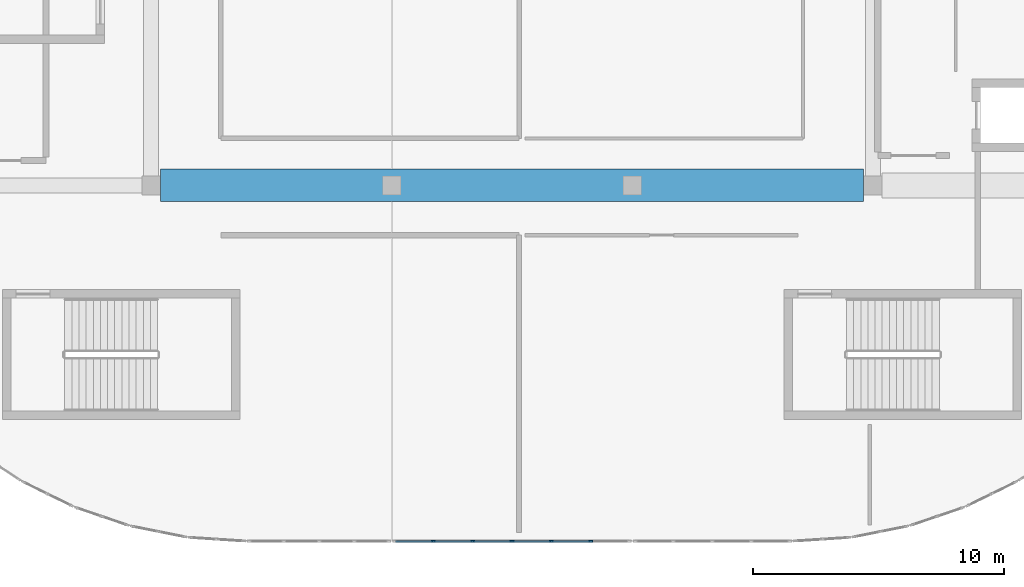
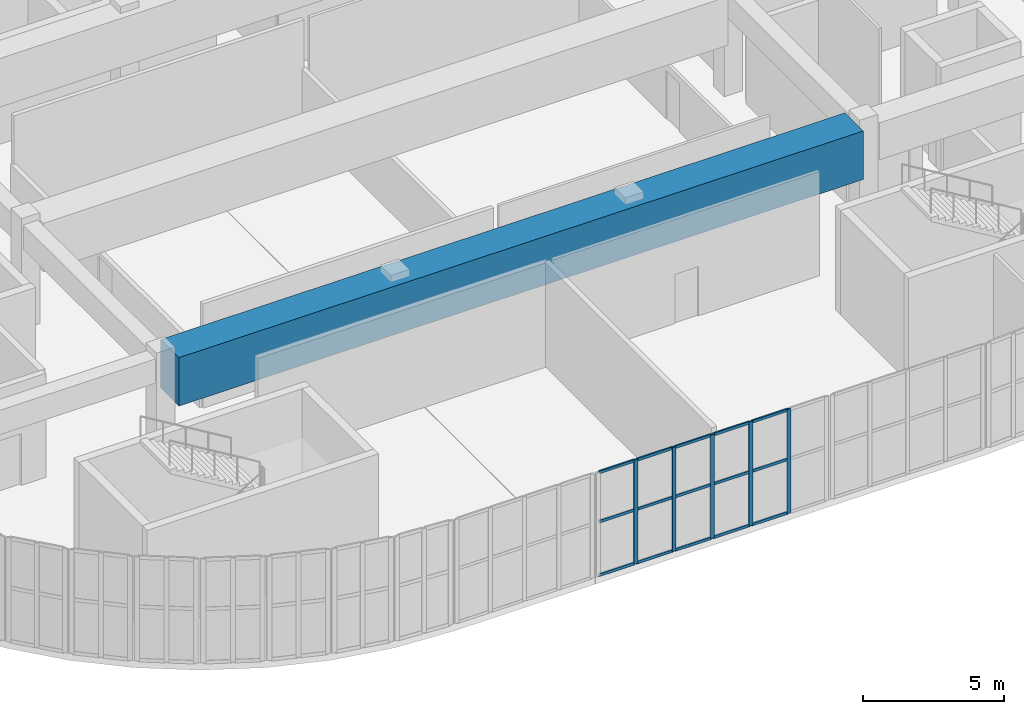
# One storey, part 4 of 28: 20 members, 1 beam, 1 element without a shape of its own.
"""IFC4 building model written with IfcOpenShell, lengths in metres."""

from ifc_helpers import new_model, si_unit, direction, frame, origin, origin_2d, place, context, subcontext, project, spatial, rectangle, extrude, material, layer, layer_set, material_profile, profile_set, type_object, element, aggregate, save


model = new_model("IFC4")

# Units and contexts
model_context = context("Model", 3, precision=1e-05, world=origin(), true_north=direction((0.0, 1.0)))
body_context = subcontext(model_context, "Body", "Model", "MODEL_VIEW")
ifc_project = project(units=[si_unit("LENGTHUNIT", "METRE"), si_unit("AREAUNIT", "SQUARE_METRE"), si_unit("VOLUMEUNIT", "CUBIC_METRE"), si_unit("PLANEANGLEUNIT", "RADIAN"), si_unit("MASSUNIT", "GRAM", prefix="KILO")], contexts=[model_context])

# Site, building, storey
site_placement = place(None, origin())
site = spatial("IfcSite", under=ifc_project, at=site_placement, CompositionType="ELEMENT")
building_placement = place(site_placement, origin())
building = spatial("IfcBuilding", under=site, at=building_placement, Name="Cendralis Terraced Arcade", CompositionType="ELEMENT")
storey_placement = place(building_placement, frame((0.0, 0.0, 24.60009765625)))
storey = spatial("IfcBuildingStorey", under=building, at=storey_placement, Name="L05", CompositionType="ELEMENT", Elevation=24.60009765625)

# Beam
ifc_material_1 = material(Name="Concrete f'c 42 MPa", Category="concrete")
ifc_material_profile_1 = material_profile(ifc_material_1, rectangle(XDim=1.300048828125, YDim=2.10009765625, at=origin_2d()), Name="RC-TG-1300x2100", Category="LoadBearing")
ifc_profile_set_1 = profile_set([ifc_material_profile_1], Name="Concrete f'c 42 MPa")
beam_type = type_object("IfcBeamType", Name="BM-TG-1300x2100", PredefinedType="USERDEFINED", material=ifc_profile_set_1)
beam_placement = place(storey_placement, frame((19.574951171875, 19.199951171875, 3.4599609375), z_axis=(1.0, 0.0, 0.0), x_axis=(0.0, 1.0, 0.0)))
element("IfcBeam", 1, at=beam_placement, inside=storey, type_object=beam_type, Name="Atrium Bridge Transfer Girder TG-ATR-L06-C", ObjectType="TRANSFER GIRDER", PredefinedType="USERDEFINED", context=body_context, shape_type="SweptSolid", body=[
    extrude(rectangle(XDim=1.300048828125, YDim=2.10009765625, at=origin_2d()), origin(), (0.0, 0.0, 1.0), 28.050048828125),
])

# Curtain wall, members
ifc_material_2 = material(Name="Anodised aluminium EN AW-6063 T6", Category="aluminium")
ifc_layer = layer(ifc_material_2, 0.159912109375, Name="CW-UNIT-B")
ifc_layer_set = layer_set([ifc_layer], Name="Anodised aluminium EN AW-6063 T6")
curtain_wall_type = type_object("IfcCurtainWallType", Name="CW-UNIT-B", PredefinedType="USERDEFINED", material=ifc_layer_set)
curtain_wall_placement = place(storey_placement, origin())
curtain_wall = element("IfcCurtainWall", 2, at=curtain_wall_placement, inside=storey, type_object=curtain_wall_type, Name="Exterior Unitised Facade CW-L05-0415", ObjectType="UNITISED FACADE", PredefinedType="USERDEFINED")
ifc_material_profile_2 = material_profile(ifc_material_2, rectangle(XDim=0.06494140625, YDim=0.159912109375, at=origin_2d()), Name="ALU-MUL-65x160")
ifc_profile_set_2 = profile_set([ifc_material_profile_2], Name="Anodised aluminium EN AW-6063 T6")
member_type_1 = type_object("IfcMemberType", Name="CW-UNIT-B-MUL", PredefinedType="MULLION", material=ifc_profile_set_2)
member_1_placement = place(storey_placement, frame((36.739990234375, 5.0, 0.0), z_axis=(0.0, 0.0, 1.0), x_axis=(0.0, -1.0, 0.0)))
member_1 = element("IfcMember", 3, at=member_1_placement, type_object=member_type_1, Name="CW-U2 mullion 2", PredefinedType="MULLION", context=body_context, shape_type="SweptSolid", body=[
    extrude(rectangle(XDim=0.06494140625, YDim=0.159912109375, at=origin_2d()), origin(), (0.0, 0.0, 1.0), 4.510009765625),
])
member_2_placement = place(storey_placement, frame((35.169921875, 5.0, 0.0), z_axis=(0.0, 0.0, 1.0), x_axis=(0.0, -1.0, 0.0)))
member_2 = element("IfcMember", 4, at=member_2_placement, type_object=member_type_1, Name="CW-U2 mullion 3", PredefinedType="MULLION", context=body_context, shape_type="SweptSolid", body=[
    extrude(rectangle(XDim=0.06494140625, YDim=0.159912109375, at=origin_2d()), origin(), (0.0, 0.0, 1.0), 4.510009765625),
])
member_3_placement = place(storey_placement, frame((33.60009765625, 5.0, 0.0), z_axis=(0.0, 0.0, 1.0), x_axis=(0.0, -1.0, 0.0)))
member_3 = element("IfcMember", 5, at=member_3_placement, type_object=member_type_1, Name="CW-U2 mullion 4", PredefinedType="MULLION", context=body_context, shape_type="SweptSolid", body=[
    extrude(rectangle(XDim=0.06494140625, YDim=0.159912109375, at=origin_2d()), origin(), (0.0, 0.0, 1.0), 4.510009765625),
])
member_4_placement = place(storey_placement, frame((32.030029296875, 5.0, 0.0), z_axis=(0.0, 0.0, 1.0), x_axis=(0.0, -1.0, 0.0)))
member_4 = element("IfcMember", 6, at=member_4_placement, type_object=member_type_1, Name="CW-U2 mullion 5", PredefinedType="MULLION", context=body_context, shape_type="SweptSolid", body=[
    extrude(rectangle(XDim=0.06494140625, YDim=0.159912109375, at=origin_2d()), origin(), (0.0, 0.0, 1.0), 4.510009765625),
])
member_5_placement = place(storey_placement, frame((30.4599609375, 5.0, 0.0), z_axis=(0.0, 0.0, 1.0), x_axis=(0.0, -1.0, 0.0)))
member_5 = element("IfcMember", 7, at=member_5_placement, type_object=member_type_1, Name="CW-U2 mullion 6", PredefinedType="MULLION", context=body_context, shape_type="SweptSolid", body=[
    extrude(rectangle(XDim=0.06494140625, YDim=0.159912109375, at=origin_2d()), origin(), (0.0, 0.0, 1.0), 4.510009765625),
])
ifc_material_profile_3 = material_profile(ifc_material_2, rectangle(XDim=0.06005859375, YDim=0.1201171875, at=origin_2d()), Name="ALU-TRN-60x120")
ifc_profile_set_3 = profile_set([ifc_material_profile_3], Name="Anodised aluminium EN AW-6063 T6")
member_type_2 = type_object("IfcMemberType", Name="CW-UNIT-B-TRN", PredefinedType="USERDEFINED", material=ifc_profile_set_3)
member_6_placement = place(storey_placement, frame((36.70751953125, 5.0, 0.02978515625), z_axis=(-1.0, 0.0, 0.0), x_axis=(0.0, -1.0, 0.0)))
member_6 = element("IfcMember", 8, at=member_6_placement, type_object=member_type_2, Name="CW-U2 transom 2.1", ObjectType="TRANSOM", PredefinedType="USERDEFINED", context=body_context, shape_type="SweptSolid", body=[
    extrude(rectangle(XDim=0.06005859375, YDim=0.1201171875, at=origin_2d()), origin(), (0.0, 0.0, 1.0), 1.505126953125),
])
member_7_placement = place(storey_placement, frame((36.70751953125, 5.0, 2.34521484375), z_axis=(-1.0, 0.0, 0.0), x_axis=(0.0, -1.0, 0.0)))
member_7 = element("IfcMember", 9, at=member_7_placement, type_object=member_type_2, Name="CW-U2 transom 2.2", ObjectType="TRANSOM", PredefinedType="USERDEFINED", context=body_context, shape_type="SweptSolid", body=[
    extrude(rectangle(XDim=0.06005859375, YDim=0.1201171875, at=origin_2d()), origin(), (0.0, 0.0, 1.0), 1.505126953125),
])
member_8_placement = place(storey_placement, frame((36.70751953125, 5.0, 4.47998046875), z_axis=(-1.0, 0.0, 0.0), x_axis=(0.0, -1.0, 0.0)))
member_8 = element("IfcMember", 10, at=member_8_placement, type_object=member_type_2, Name="CW-U2 transom 2.3", ObjectType="TRANSOM", PredefinedType="USERDEFINED", context=body_context, shape_type="SweptSolid", body=[
    extrude(rectangle(XDim=0.06005859375, YDim=0.1201171875, at=origin_2d()), origin(), (0.0, 0.0, 1.0), 1.505126953125),
])
member_9_placement = place(storey_placement, frame((35.137451171875, 5.0, 0.02978515625), z_axis=(-1.0, 0.0, 0.0), x_axis=(0.0, -1.0, 0.0)))
member_9 = element("IfcMember", 11, at=member_9_placement, type_object=member_type_2, Name="CW-U2 transom 3.1", ObjectType="TRANSOM", PredefinedType="USERDEFINED", context=body_context, shape_type="SweptSolid", body=[
    extrude(rectangle(XDim=0.06005859375, YDim=0.1201171875, at=origin_2d()), origin(), (0.0, 0.0, 1.0), 1.5048828125),
])
member_10_placement = place(storey_placement, frame((35.137451171875, 5.0, 2.34521484375), z_axis=(-1.0, 0.0, 0.0), x_axis=(0.0, -1.0, 0.0)))
member_10 = element("IfcMember", 12, at=member_10_placement, type_object=member_type_2, Name="CW-U2 transom 3.2", ObjectType="TRANSOM", PredefinedType="USERDEFINED", context=body_context, shape_type="SweptSolid", body=[
    extrude(rectangle(XDim=0.06005859375, YDim=0.1201171875, at=origin_2d()), origin(), (0.0, 0.0, 1.0), 1.5048828125),
])
member_11_placement = place(storey_placement, frame((35.137451171875, 5.0, 4.47998046875), z_axis=(-1.0, 0.0, 0.0), x_axis=(0.0, -1.0, 0.0)))
member_11 = element("IfcMember", 13, at=member_11_placement, type_object=member_type_2, Name="CW-U2 transom 3.3", ObjectType="TRANSOM", PredefinedType="USERDEFINED", context=body_context, shape_type="SweptSolid", body=[
    extrude(rectangle(XDim=0.06005859375, YDim=0.1201171875, at=origin_2d()), origin(), (0.0, 0.0, 1.0), 1.5048828125),
])
member_12_placement = place(storey_placement, frame((33.5673828125, 5.0, 0.02978515625), z_axis=(-1.0, 0.0, 0.0), x_axis=(0.0, -1.0, 0.0)))
member_12 = element("IfcMember", 14, at=member_12_placement, type_object=member_type_2, Name="CW-U2 transom 4.1", ObjectType="TRANSOM", PredefinedType="USERDEFINED", context=body_context, shape_type="SweptSolid", body=[
    extrude(rectangle(XDim=0.06005859375, YDim=0.1201171875, at=origin_2d()), origin(), (0.0, 0.0, 1.0), 1.5048828125),
])
member_13_placement = place(storey_placement, frame((33.5673828125, 5.0, 2.34521484375), z_axis=(-1.0, 0.0, 0.0), x_axis=(0.0, -1.0, 0.0)))
member_13 = element("IfcMember", 15, at=member_13_placement, type_object=member_type_2, Name="CW-U2 transom 4.2", ObjectType="TRANSOM", PredefinedType="USERDEFINED", context=body_context, shape_type="SweptSolid", body=[
    extrude(rectangle(XDim=0.06005859375, YDim=0.1201171875, at=origin_2d()), origin(), (0.0, 0.0, 1.0), 1.5048828125),
])
member_14_placement = place(storey_placement, frame((33.5673828125, 5.0, 4.47998046875), z_axis=(-1.0, 0.0, 0.0), x_axis=(0.0, -1.0, 0.0)))
member_14 = element("IfcMember", 16, at=member_14_placement, type_object=member_type_2, Name="CW-U2 transom 4.3", ObjectType="TRANSOM", PredefinedType="USERDEFINED", context=body_context, shape_type="SweptSolid", body=[
    extrude(rectangle(XDim=0.06005859375, YDim=0.1201171875, at=origin_2d()), origin(), (0.0, 0.0, 1.0), 1.5048828125),
])
member_15_placement = place(storey_placement, frame((31.99755859375, 5.0, 0.02978515625), z_axis=(-1.0, 0.0, 0.0), x_axis=(0.0, -1.0, 0.0)))
member_15 = element("IfcMember", 17, at=member_15_placement, type_object=member_type_2, Name="CW-U2 transom 5.1", ObjectType="TRANSOM", PredefinedType="USERDEFINED", context=body_context, shape_type="SweptSolid", body=[
    extrude(rectangle(XDim=0.06005859375, YDim=0.1201171875, at=origin_2d()), origin(), (0.0, 0.0, 1.0), 1.505126953125),
])
member_16_placement = place(storey_placement, frame((31.99755859375, 5.0, 2.34521484375), z_axis=(-1.0, 0.0, 0.0), x_axis=(0.0, -1.0, 0.0)))
member_16 = element("IfcMember", 18, at=member_16_placement, type_object=member_type_2, Name="CW-U2 transom 5.2", ObjectType="TRANSOM", PredefinedType="USERDEFINED", context=body_context, shape_type="SweptSolid", body=[
    extrude(rectangle(XDim=0.06005859375, YDim=0.1201171875, at=origin_2d()), origin(), (0.0, 0.0, 1.0), 1.505126953125),
])
member_17_placement = place(storey_placement, frame((31.99755859375, 5.0, 4.47998046875), z_axis=(-1.0, 0.0, 0.0), x_axis=(0.0, -1.0, 0.0)))
member_17 = element("IfcMember", 19, at=member_17_placement, type_object=member_type_2, Name="CW-U2 transom 5.3", ObjectType="TRANSOM", PredefinedType="USERDEFINED", context=body_context, shape_type="SweptSolid", body=[
    extrude(rectangle(XDim=0.06005859375, YDim=0.1201171875, at=origin_2d()), origin(), (0.0, 0.0, 1.0), 1.505126953125),
])
member_18_placement = place(storey_placement, frame((30.427490234375, 5.0, 0.02978515625), z_axis=(-1.0, 0.0, 0.0), x_axis=(0.0, -1.0, 0.0)))
member_18 = element("IfcMember", 20, at=member_18_placement, type_object=member_type_2, Name="CW-U2 transom 6.1", ObjectType="TRANSOM", PredefinedType="USERDEFINED", context=body_context, shape_type="SweptSolid", body=[
    extrude(rectangle(XDim=0.06005859375, YDim=0.1201171875, at=origin_2d()), origin(), (0.0, 0.0, 1.0), 1.472412109375),
])
member_19_placement = place(storey_placement, frame((30.427490234375, 5.0, 2.34521484375), z_axis=(-1.0, 0.0, 0.0), x_axis=(0.0, -1.0, 0.0)))
member_19 = element("IfcMember", 21, at=member_19_placement, type_object=member_type_2, Name="CW-U2 transom 6.2", ObjectType="TRANSOM", PredefinedType="USERDEFINED", context=body_context, shape_type="SweptSolid", body=[
    extrude(rectangle(XDim=0.06005859375, YDim=0.1201171875, at=origin_2d()), origin(), (0.0, 0.0, 1.0), 1.472412109375),
])
member_20_placement = place(storey_placement, frame((30.427490234375, 5.0, 4.47998046875), z_axis=(-1.0, 0.0, 0.0), x_axis=(0.0, -1.0, 0.0)))
member_20 = element("IfcMember", 22, at=member_20_placement, type_object=member_type_2, Name="CW-U2 transom 6.3", ObjectType="TRANSOM", PredefinedType="USERDEFINED", context=body_context, shape_type="SweptSolid", body=[
    extrude(rectangle(XDim=0.06005859375, YDim=0.1201171875, at=origin_2d()), origin(), (0.0, 0.0, 1.0), 1.472412109375),
])
aggregate(curtain_wall, [member_1, member_2, member_3, member_4, member_5, member_6, member_7, member_8, member_9, member_10, member_11, member_12, member_13, member_14, member_15, member_16, member_17, member_18, member_19, member_20])

save(model, "model.ifc")
